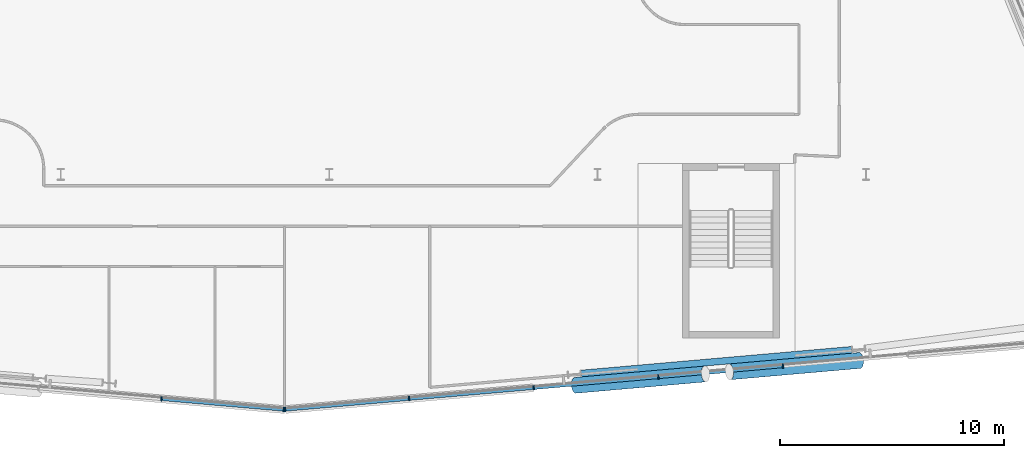
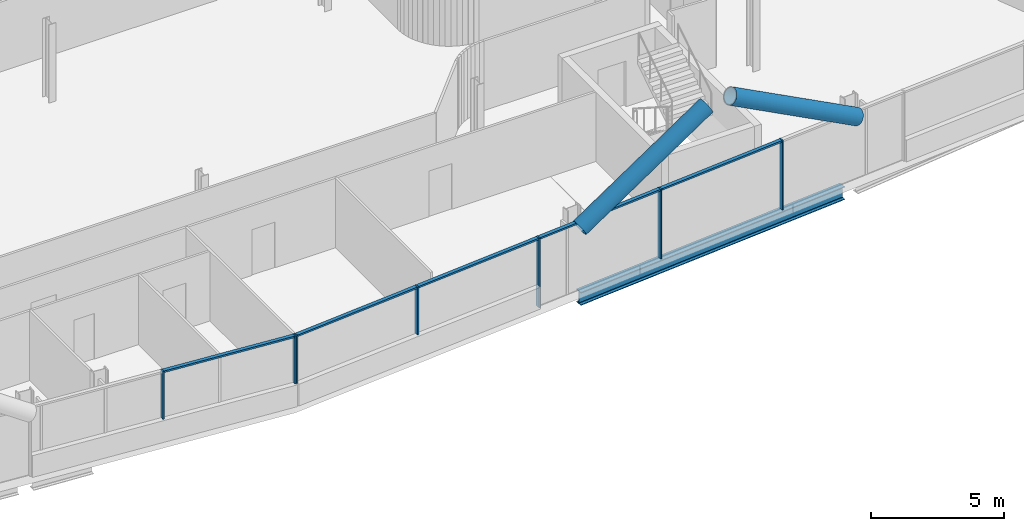
# One storey, part 8 of 29: 14 members, 1 beam, 2 elements without a shape of their own.
"""IFC4 building model written with IfcOpenShell, lengths in metres."""

from ifc_helpers import new_model, si_unit, direction, frame, origin, origin_2d, place, context, subcontext, project, spatial, rectangle, hollow_circle, i_section, extrude, material, material_profile, profile_set, type_object, element, aggregate, save


model = new_model("IFC4")

# Units and contexts
model_context = context("Model", 3, precision=1e-05, world=origin(), true_north=direction((0.0, 1.0)))
body_context = subcontext(model_context, "Body", "Model", "MODEL_VIEW")
ifc_project = project(units=[si_unit("LENGTHUNIT", "METRE"), si_unit("AREAUNIT", "SQUARE_METRE"), si_unit("VOLUMEUNIT", "CUBIC_METRE"), si_unit("PLANEANGLEUNIT", "RADIAN"), si_unit("MASSUNIT", "GRAM", prefix="KILO")], contexts=[model_context])

# Site, building, storey
site_placement = place(None, origin())
site = spatial("IfcSite", under=ifc_project, at=site_placement, CompositionType="ELEMENT")
building_placement = place(site_placement, origin())
building = spatial("IfcBuilding", under=site, at=building_placement, Name="Wharfspan Tower", CompositionType="ELEMENT")
storey_placement = place(building_placement, frame((0.0, 0.0, 162.699951)))
storey = spatial("IfcBuildingStorey", under=building, at=storey_placement, Name="L39", CompositionType="ELEMENT", Elevation=162.699951)

# Beam
ifc_material_1 = material(Name="Steel S355J2", Category="steel")
ifc_material_profile_1 = material_profile(ifc_material_1, i_section(OverallWidth=0.300049, OverallDepth=0.600098, WebThickness=0.015381, FlangeThickness=0.030029, FilletRadius=0.0271, at=origin_2d()))
ifc_profile_set_1 = profile_set([ifc_material_profile_1], Name="Steel S355J2")
beam_type = type_object("IfcBeamType", Name="Edge beam HEB 600", PredefinedType="SPANDREL", material=ifc_profile_set_1)
beam_placement = place(storey_placement, frame((59.265625, 2.600342, -0.699951), z_axis=(0.996195, 0.087155, 0.0), x_axis=(-0.087155, 0.996195, 0.0)))
element("IfcBeam", 1, at=beam_placement, inside=storey, type_object=beam_type, Name="Edge beam S2 L39 PS2.1 to PS2.2", PredefinedType="SPANDREL", context=body_context, shape_type="SweptSolid", body=[
    extrude(i_section(OverallWidth=0.300049, OverallDepth=0.600098, WebThickness=0.015381, FlangeThickness=0.030029, FilletRadius=0.0271, at=origin_2d()), origin(), (0.0, 0.0, 1.0), 12.137695),
])

# Curtain wall, members
ifc_material_2 = material(Name="Aluminium 6063-T6", Category="aluminium")
curtain_wall_type = type_object("IfcCurtainWallType", Name="CURTAIN WALL FACETED FRONT", PredefinedType="NOTDEFINED", material=ifc_material_2)
curtain_wall_1_placement = place(storey_placement, origin())
curtain_wall_1 = element("IfcCurtainWall", 2, at=curtain_wall_1_placement, inside=storey, type_object=curtain_wall_type, Name="Curtain wall S1", PredefinedType="NOTDEFINED")
ifc_material_profile_2 = material_profile(ifc_material_2, rectangle(XDim=0.199951, YDim=0.060059, at=origin_2d()))
ifc_profile_set_2 = profile_set([ifc_material_profile_2], Name="Aluminium 6063-T6")
member_type_1 = type_object("IfcMemberType", Name="MULLION FACETED FRONT 60x200", PredefinedType="MULLION", material=ifc_profile_set_2)
member_1_placement = place(storey_placement, frame((40.5, 1.469238, 1.0), z_axis=(0.0, 0.0, 1.0), x_axis=(0.087156, 0.996198, 0.0)))
member_1 = element("IfcMember", 3, at=member_1_placement, type_object=member_type_1, Name="Curtain wall S1 mullion 6", PredefinedType="MULLION", context=body_context, shape_type="SweptSolid", body=[
    extrude(rectangle(XDim=0.199951, YDim=0.060059, at=origin_2d()), origin(), (0.0, 0.0, 1.0), 2.199951),
])
member_2_placement = place(storey_placement, frame((45.970215, 0.990479, 1.0), z_axis=(0.0, 0.0, 1.0), x_axis=(0.087156, 0.996198, 0.0)))
member_2 = element("IfcMember", 4, at=member_2_placement, type_object=member_type_1, Name="Curtain wall S1 mullion 7", PredefinedType="MULLION", context=body_context, shape_type="SweptSolid", body=[
    extrude(rectangle(XDim=0.199951, YDim=0.060059, at=origin_2d()), origin(), (0.0, 0.0, 1.0), 2.199951),
])

curtain_wall_2_placement = place(storey_placement, origin())
curtain_wall_2 = element("IfcCurtainWall", 5, at=curtain_wall_2_placement, inside=storey, type_object=curtain_wall_type, Name="Curtain wall S2", PredefinedType="NOTDEFINED")
member_3_placement = place(storey_placement, frame((46.029785, 0.990479, 1.0), z_axis=(0.0, 0.0, 1.0), x_axis=(-0.087156, 0.996198, 0.0)))
member_3 = element("IfcMember", 6, at=member_3_placement, type_object=member_type_1, Name="Curtain wall S2 mullion 1", PredefinedType="MULLION", context=body_context, shape_type="SweptSolid", body=[
    extrude(rectangle(XDim=0.199951, YDim=0.060059, at=origin_2d()), origin(), (0.0, 0.0, 1.0), 2.199951),
])
member_4_placement = place(storey_placement, frame((51.571533, 1.475342, 1.0), z_axis=(0.0, 0.0, 1.0), x_axis=(-0.087156, 0.996198, 0.0)))
member_4 = element("IfcMember", 7, at=member_4_placement, type_object=member_type_1, Name="Curtain wall S2 mullion 2", PredefinedType="MULLION", context=body_context, shape_type="SweptSolid", body=[
    extrude(rectangle(XDim=0.199951, YDim=0.060059, at=origin_2d()), origin(), (0.0, 0.0, 1.0), 2.199951),
])
member_5_placement = place(storey_placement, frame((57.142822, 1.962891, 0.0), z_axis=(0.0, 0.0, 1.0), x_axis=(-0.087156, 0.996198, 0.0)))
member_5 = element("IfcMember", 8, at=member_5_placement, type_object=member_type_1, Name="Curtain wall S2 mullion 3", PredefinedType="MULLION", context=body_context, shape_type="SweptSolid", body=[
    extrude(rectangle(XDim=0.199951, YDim=0.060059, at=origin_2d()), origin(), (0.0, 0.0, 1.0), 3.199951),
])
member_6_placement = place(storey_placement, frame((62.714355, 2.450195, 0.0), z_axis=(0.0, 0.0, 1.0), x_axis=(-0.087156, 0.996198, 0.0)))
member_6 = element("IfcMember", 9, at=member_6_placement, type_object=member_type_1, Name="Curtain wall S2 mullion 4", PredefinedType="MULLION", context=body_context, shape_type="SweptSolid", body=[
    extrude(rectangle(XDim=0.199951, YDim=0.060059, at=origin_2d()), origin(), (0.0, 0.0, 1.0), 3.199951),
])
member_7_placement = place(storey_placement, frame((68.285645, 2.937744, 0.0), z_axis=(0.0, 0.0, 1.0), x_axis=(-0.087156, 0.996198, 0.0)))
member_7 = element("IfcMember", 10, at=member_7_placement, type_object=member_type_1, Name="Curtain wall S2 mullion 5", PredefinedType="MULLION", context=body_context, shape_type="SweptSolid", body=[
    extrude(rectangle(XDim=0.199951, YDim=0.060059, at=origin_2d()), origin(), (0.0, 0.0, 1.0), 3.199951),
])

# Members
ifc_material_3 = material(Name="Steel S460NH", Category="steel")
ifc_material_profile_3 = material_profile(ifc_material_3, hollow_circle(Radius=0.355469, WallThickness=0.035889, at=origin_2d()))
ifc_profile_set_3 = profile_set([ifc_material_profile_3], Name="Steel S460NH")
member_type_2 = type_object("IfcMemberType", Name="Mega brace CHS 711x36", PredefinedType="BRACE", material=ifc_profile_set_3)
member_8_placement = place(storey_placement, frame((59.004883, 2.070557, 2.900146), z_axis=(0.867442, 0.075882, 0.491717), x_axis=(-0.087146, 0.996193, 2e-06)))
element("IfcMember", 11, at=member_8_placement, inside=storey, type_object=member_type_2, Name="Mega brace S2 L40 part 1", PredefinedType="BRACE", context=body_context, shape_type="SweptSolid", body=[
    extrude(hollow_circle(Radius=0.355469, WallThickness=0.035889, at=origin_2d()), origin(), (0.0, 0.0, 1.0), 6.695312),
])
member_9_placement = place(storey_placement, frame((71.706055, 3.181641, 2.900146), z_axis=(-0.867451, -0.075879, 0.491702), x_axis=(0.087142, -0.996197, 2e-06)))
element("IfcMember", 12, at=member_9_placement, inside=storey, type_object=member_type_2, Name="Mega brace S2 L40 part 3", PredefinedType="BRACE", context=body_context, shape_type="SweptSolid", body=[
    extrude(hollow_circle(Radius=0.355469, WallThickness=0.035889, at=origin_2d()), origin(), (0.0, 0.0, 1.0), 6.695557),
])

# Member
ifc_material_profile_4 = material_profile(ifc_material_2, rectangle(XDim=0.159912, YDim=0.080078, at=origin_2d()))
ifc_profile_set_4 = profile_set([ifc_material_profile_4], Name="Aluminium 6063-T6")
member_type_3 = type_object("IfcMemberType", Name="TRANSOM FACETED FRONT 80x160", PredefinedType="USERDEFINED", material=ifc_profile_set_4)
member_10_placement = place(storey_placement, frame((40.529785, 1.466553, 3.160156), z_axis=(0.996194, -0.087163, 0.0), x_axis=(0.087163, 0.996194, 0.0)))
member_10 = element("IfcMember", 13, at=member_10_placement, type_object=member_type_3, Name="Curtain wall S1 transom 6", ObjectType="TRANSOM", PredefinedType="USERDEFINED", context=body_context, shape_type="SweptSolid", body=[
    extrude(rectangle(XDim=0.159912, YDim=0.080078, at=origin_2d()), origin(), (0.0, 0.0, 1.0), 5.431152),
])

aggregate(curtain_wall_1, [member_1, member_2, member_10])

member_11_placement = place(storey_placement, frame((46.059814, 0.993164, 3.160156), z_axis=(0.996196, 0.087139, 0.0), x_axis=(-0.087139, 0.996196, 0.0)))
member_11 = element("IfcMember", 14, at=member_11_placement, type_object=member_type_3, Name="Curtain wall S2 transom 1", ObjectType="TRANSOM", PredefinedType="USERDEFINED", context=body_context, shape_type="SweptSolid", body=[
    extrude(rectangle(XDim=0.159912, YDim=0.080078, at=origin_2d()), origin(), (0.0, 0.0, 1.0), 5.502686),
])

member_12_placement = place(storey_placement, frame((51.601318, 1.478027, 3.160156), z_axis=(0.996195, 0.087149, 0.0), x_axis=(-0.087149, 0.996195, 0.0)))
member_12 = element("IfcMember", 15, at=member_12_placement, type_object=member_type_3, Name="Curtain wall S2 transom 2", ObjectType="TRANSOM", PredefinedType="USERDEFINED", context=body_context, shape_type="SweptSolid", body=[
    extrude(rectangle(XDim=0.159912, YDim=0.080078, at=origin_2d()), origin(), (0.0, 0.0, 1.0), 5.532715),
])

member_13_placement = place(storey_placement, frame((57.172852, 1.965332, 3.160156), z_axis=(0.996191, 0.087197, 0.0), x_axis=(-0.087197, 0.996191, 0.0)))
member_13 = element("IfcMember", 16, at=member_13_placement, type_object=member_type_3, Name="Curtain wall S2 transom 3", ObjectType="TRANSOM", PredefinedType="USERDEFINED", context=body_context, shape_type="SweptSolid", body=[
    extrude(rectangle(XDim=0.159912, YDim=0.080078, at=origin_2d()), origin(), (0.0, 0.0, 1.0), 5.532471),
])

member_14_placement = place(storey_placement, frame((62.744141, 2.452881, 3.160156), z_axis=(0.996195, 0.087149, 0.0), x_axis=(-0.087149, 0.996195, 0.0)))
member_14 = element("IfcMember", 17, at=member_14_placement, type_object=member_type_3, Name="Curtain wall S2 transom 4", ObjectType="TRANSOM", PredefinedType="USERDEFINED", context=body_context, shape_type="SweptSolid", body=[
    extrude(rectangle(XDim=0.159912, YDim=0.080078, at=origin_2d()), origin(), (0.0, 0.0, 1.0), 5.532715),
])

aggregate(curtain_wall_2, [member_3, member_4, member_5, member_6, member_7, member_11, member_12, member_13, member_14])

save(model, "model.ifc")
